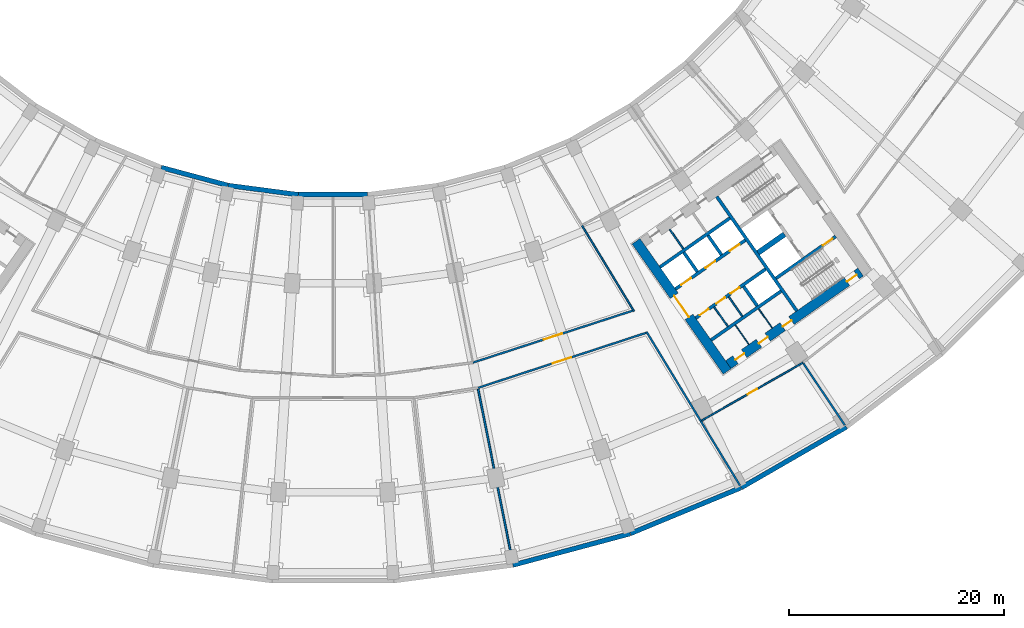
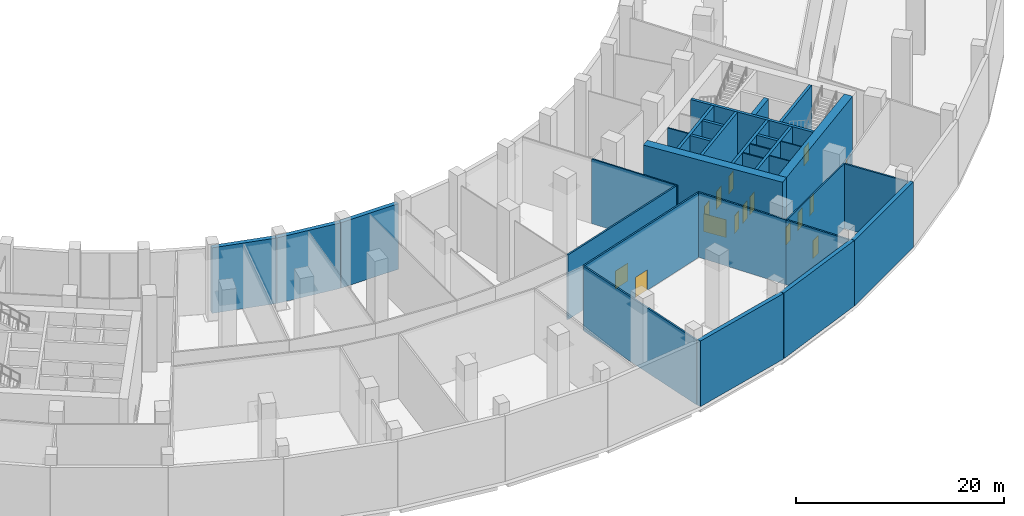
# One storey, part 8 of 19: 31 walls, 15 doors, 15 openings.
"""IFC4 building model written with IfcOpenShell, lengths in metres."""

import ifcopenshell
import ifcopenshell.guid

model = None  # the IFC model being written
_history = None  # IfcOwnerHistory: only IFC2X3 demands one
_inside = {}  # id of a spatial element -> (the spatial element, [elements in it])
_under = {}  # id of a project, library or spatial element -> (it, [spatial elements below it])
_declared = {}  # id of a project -> (the project, [libraries it declares])
_typed = {}  # id of a type object -> (the type object, [elements of that type])
_made_of = {}  # id of a material, layer set ... -> (it, [elements and type objects made of it])


def new_model(schema):
    """Start an empty IFC model of exactly this schema.

    Asked for "IFC4X3", IfcOpenShell would pick the latest addendum, in which some entities
    have other attributes; the version numbers below select the first issue.
    IFC2X3 requires an IfcOwnerHistory on every rooted entity: one is made here for all.
    """
    global model, _history
    if schema == "IFC4X3":
        model = ifcopenshell.file(schema_version=(4, 3, 0, 0))
    else:
        model = ifcopenshell.file(schema=schema)
    _inside.clear()
    _under.clear()
    _declared.clear()
    _typed.clear()
    _made_of.clear()
    _history = None
    if model.schema == "IFC2X3":
        org = make("IfcOrganization", Name="unknown")
        user = make(
            "IfcPersonAndOrganization",
            ThePerson=make("IfcPerson", FamilyName="unknown"),
            TheOrganization=org,
        )
        app = make(
            "IfcApplication",
            ApplicationDeveloper=org,
            Version="unknown",
            ApplicationFullName="unknown",
            ApplicationIdentifier="unknown",
        )
        _history = make(
            "IfcOwnerHistory",
            OwningUser=user,
            OwningApplication=app,
            ChangeAction="ADDED",
            CreationDate=0,
        )
    return model


def make(cls, **values):
    """One entity of the class cls with the attributes given. An attribute that is None is left unset."""
    return model.create_entity(
        cls, **{name: value for name, value in values.items() if value is not None}
    )


def rooted(cls, **values):
    """An entity with a GlobalId (a new one), such as an element, a storey or a relation."""
    return make(cls, GlobalId=ifcopenshell.guid.new(), OwnerHistory=_history, **values)


def si_unit(unit_type, name, prefix=None):
    """IfcSIUnit, for example si_unit("LENGTHUNIT", "METRE", prefix="MILLI")."""
    return make("IfcSIUnit", UnitType=unit_type, Prefix=prefix, Name=name)


def assignment(units):
    """IfcUnitAssignment: the units of a project."""
    return None if units is None else make("IfcUnitAssignment", Units=units)


def point(xyz):
    """IfcCartesianPoint."""
    return None if xyz is None else make("IfcCartesianPoint", Coordinates=xyz)


def direction(xyz):
    """IfcDirection."""
    return None if xyz is None else make("IfcDirection", DirectionRatios=xyz)


def frame(location, z_axis=None, x_axis=None):
    """IfcAxis2Placement3D, a coordinate frame: its origin and axes. An axis left out is left unset."""
    return make(
        "IfcAxis2Placement3D",
        Location=point(location),
        Axis=direction(z_axis),
        RefDirection=direction(x_axis),
    )


def frame_2d(location, x_axis=None):
    """IfcAxis2Placement2D, a coordinate frame in the plane: its origin and x axis."""
    return make(
        "IfcAxis2Placement2D", Location=point(location), RefDirection=direction(x_axis)
    )


def origin():
    """The frame at (0, 0, 0) with its axes left unset."""
    return frame((0.0, 0.0, 0.0))


def place(relative_to, where):
    """IfcLocalPlacement: puts the frame where relative to a parent placement (None: the world)."""
    return make(
        "IfcLocalPlacement", PlacementRelTo=relative_to, RelativePlacement=where
    )


def context(
    kind, dimensions, precision=None, world=None, true_north=None, identifier=None
):
    """IfcGeometricRepresentationContext, for example the 3D "Model" context."""
    return make(
        "IfcGeometricRepresentationContext",
        ContextIdentifier=identifier,
        ContextType=kind,
        CoordinateSpaceDimension=dimensions,
        Precision=precision,
        WorldCoordinateSystem=world,
        TrueNorth=true_north,
    )


def subcontext(parent, identifier, kind, view, scale=None):
    """IfcGeometricRepresentationSubContext, for example "Body" below "Model"."""
    return make(
        "IfcGeometricRepresentationSubContext",
        ContextIdentifier=identifier,
        ContextType=kind,
        ParentContext=parent,
        TargetScale=scale,
        TargetView=view,
    )


def project(units=None, contexts=None):
    """IfcProject with its units and contexts."""
    return rooted(
        "IfcProject",
        Name="project",
        RepresentationContexts=contexts,
        UnitsInContext=assignment(units),
    )


def spatial(cls, under=None, at=None, **own):
    """A site, building, storey or space (cls), placed at a placement, below another one or the project."""
    s = rooted(cls, ObjectPlacement=at, **own)
    if under is not None:
        _under.setdefault(under.id(), (under, []))[1].append(s)
    return s


def profile(cls, at=None, kind="AREA", **sizes):
    """A parametric profile (cls). Its sizes go by their IFC names, for example OverallWidth=200.0."""
    return make(cls, ProfileType=kind, Position=at, **sizes)


def rectangle(**sizes):
    """IfcRectangleProfileDef."""
    return profile("IfcRectangleProfileDef", **sizes)


def extrude(swept, where, along, depth):
    """IfcExtrudedAreaSolid: the profile swept, set in the frame where, extruded along a direction by depth."""
    return make(
        "IfcExtrudedAreaSolid",
        SweptArea=swept,
        Position=where,
        ExtrudedDirection=direction(along),
        Depth=depth,
    )


def shape(context_of_items, identifier, shape_type, items):
    """IfcShapeRepresentation: the items that make up one representation, for example the "Body"."""
    return make(
        "IfcShapeRepresentation",
        ContextOfItems=context_of_items,
        RepresentationIdentifier=identifier,
        RepresentationType=shape_type,
        Items=items,
    )


def material(Name=None, Category=None):
    """IfcMaterial."""
    return make("IfcMaterial", Name=Name, Category=Category)


def layer(
    of_material, thickness, ventilated=None, Name=None, Category=None, Priority=None
):
    """IfcMaterialLayer: one layer of a wall or slab, of a material (None: an air gap)."""
    return make(
        "IfcMaterialLayer",
        Material=of_material,
        LayerThickness=thickness,
        IsVentilated=ventilated,
        Name=Name,
        Category=Category,
        Priority=Priority,
    )


def layer_set(layers, Name=None):
    """IfcMaterialLayerSet."""
    return make("IfcMaterialLayerSet", MaterialLayers=layers, LayerSetName=Name)


def made_of(thing, what):
    """Note that an element or type object is made of a material, layer set ...; save() writes the relation."""
    if what is not None:
        _made_of.setdefault(what.id(), (what, []))[1].append(thing)
    return thing


def type_object(cls, material=None, **own):
    """A type object (cls), such as IfcWallType, which elements share."""
    return made_of(rooted(cls, **own), material)


def element(
    cls,
    number,
    at=None,
    inside=None,
    cuts=None,
    type_object=None,
    material=None,
    context=None,
    identifier="Body",
    shape_type=None,
    held_by="IfcProductDefinitionShape",
    body=None,
    shapes=None,
    **own,
):
    """One element of the class cls, such as IfcWall. Its Tag is "e" and its number.

    at: its placement. inside: the storey or other place that contains it. cuts: it is an
    opening in that element (IfcRelVoidsElement). A single representation is given by context,
    identifier, shape_type and body (its items); several are given by shapes. held_by: the class
    of the entity that holds the representations. save() writes the other relations.
    """
    e = rooted(cls, Tag="e%d" % number, ObjectPlacement=at, **own)
    if body is not None:
        shapes = [shape(context, identifier, shape_type, body)]
    if shapes is not None:
        e.Representation = make(held_by, Representations=shapes)
    if inside is not None:
        _inside.setdefault(inside.id(), (inside, []))[1].append(e)
    if cuts is not None:
        rooted(
            "IfcRelVoidsElement", RelatingBuildingElement=cuts, RelatedOpeningElement=e
        )
    if type_object is not None:
        _typed.setdefault(type_object.id(), (type_object, []))[1].append(e)
    return made_of(e, material)


def fill(opening, filler):
    """IfcRelFillsElement: the door or window that sits in an opening."""
    return rooted(
        "IfcRelFillsElement",
        RelatingOpeningElement=opening,
        RelatedBuildingElement=filler,
    )


def aggregate(whole, parts):
    """IfcRelAggregates: a whole, such as a stair, and the parts it consists of."""
    return rooted("IfcRelAggregates", RelatingObject=whole, RelatedObjects=parts)


def save(model, path):
    """Write the relations noted so far, then the file.

    IfcRelAggregates (storeys below a building ...), IfcRelContainedInSpatialStructure (elements
    in a storey), IfcRelDefinesByType, IfcRelAssociatesMaterial and IfcRelDeclares: one each for
    every whole, place, type object, material and project.
    """
    for whole, parts in _under.values():
        aggregate(whole, parts)
    for where, things in _inside.values():
        rooted(
            "IfcRelContainedInSpatialStructure",
            RelatedElements=things,
            RelatingStructure=where,
        )
    for kind, things in _typed.values():
        rooted("IfcRelDefinesByType", RelatedObjects=things, RelatingType=kind)
    for what, things in _made_of.values():
        rooted("IfcRelAssociatesMaterial", RelatedObjects=things, RelatingMaterial=what)
    for by, libraries in _declared.values():
        rooted("IfcRelDeclares", RelatingContext=by, RelatedDefinitions=libraries)
    model.write(path)


model = new_model("IFC4")

# Units and contexts
model_context = context("Model", 3, precision=1e-05, world=origin(), true_north=direction((0.0, 1.0)))
body_context = subcontext(model_context, "Body", "Model", "MODEL_VIEW")
ifc_project = project(units=[si_unit("LENGTHUNIT", "METRE"), si_unit("AREAUNIT", "SQUARE_METRE"), si_unit("VOLUMEUNIT", "CUBIC_METRE"), si_unit("PLANEANGLEUNIT", "RADIAN"), si_unit("MASSUNIT", "GRAM", prefix="KILO")], contexts=[model_context])

# Site, building, storey
site_placement = place(None, origin())
site = spatial("IfcSite", under=ifc_project, at=site_placement, CompositionType="ELEMENT")
building_placement = place(site_placement, origin())
building = spatial("IfcBuilding", under=site, at=building_placement, Name="Qamariyya Broadcast Tower", CompositionType="ELEMENT")
storey_placement = place(building_placement, frame((0.0, 0.0, 9.0)))
storey = spatial("IfcBuildingStorey", under=building, at=storey_placement, Name="L01", CompositionType="ELEMENT", Elevation=9.0)

# Wall, opening, door
ifc_material_1 = material(Name="Concrete C70/85", Category="concrete")
ifc_layer_1 = layer(ifc_material_1, 0.89990234375)
ifc_layer_set_1 = layer_set([ifc_layer_1], Name="Core wall 900 mm Concrete C70/85")
wall_type_1 = type_object("IfcWallType", Name="Core wall 900 mm Concrete C70/85", PredefinedType="SHEAR", material=ifc_layer_set_1)
wall_1_placement = place(storey_placement, frame((36.716796875, -66.3369140625, 0.0), z_axis=(0.0, 0.0, 1.0), x_axis=(-0.573577477574, 0.819151315216, 0.0)))
wall_1 = element("IfcWall", 1, at=wall_1_placement, inside=storey, type_object=wall_type_1, Name="k-E-L01-WA", PredefinedType="SHEAR", context=body_context, shape_type="SweptSolid", body=[
    extrude(rectangle(XDim=14.800048828125, YDim=0.89990234375, at=frame_2d((7.39990234375, 0.0))), origin(), (0.0, 0.0, 1.0), 8.60009765625),
])
opening_1_placement = place(wall_1_placement, frame((6.199951171875, 0.0, 0.0)))
opening_1 = element("IfcOpeningElement", 2, at=opening_1_placement, cuts=wall_1, Name="Opening KD3-E1", PredefinedType="OPENING", context=body_context, shape_type="SweptSolid", body=[
    extrude(rectangle(XDim=2.39990234375, YDim=2.10009765625, at=frame_2d((1.199951171875, 1.050048828125))), frame((0.0, 0.4599609375, 0.0), z_axis=(0.0, -1.0, 0.0), x_axis=(1.0, 0.0, 0.0)), (0.0, 0.0, 1.0), 0.919921875),
])
ifc_material_2 = material(Name="Steel fire-resisting door leaf", Category="steel")
door_type_1 = type_object("IfcDoorType", Name="Lift lobby door KD3", OperationType="DOUBLE_DOOR_SINGLE_SWING", PredefinedType="DOOR", material=ifc_material_2)
door_1_placement = place(opening_1_placement, origin())
door_1 = element("IfcDoor", 3, at=door_1_placement, inside=storey, type_object=door_type_1, Name="k-E-L01-WA-D1", OperationType="DOUBLE_DOOR_SINGLE_SWING", OverallHeight=2.10009765625, OverallWidth=2.39990234375, PredefinedType="DOOR", context=body_context, shape_type="SweptSolid", body=[
    extrude(rectangle(XDim=2.39990234375, YDim=2.10009765625, at=frame_2d((1.199951171875, 1.050048828125))), frame((0.0, 0.02490234375, 0.0), z_axis=(0.0, -1.0, 0.0), x_axis=(1.0, 0.0, 0.0)), (0.0, 0.0, 1.0), 0.050048828125),
])
fill(opening_1, door_1)

# Wall, openings, doors
wall_2_placement = place(storey_placement, frame((36.827392578125, -65.710205078125, 0.0), z_axis=(0.0, 0.0, 1.0), x_axis=(0.819153391756, 0.573574511963, 0.0)))
wall_2 = element("IfcWall", 4, at=wall_2_placement, inside=storey, type_object=wall_type_1, Name="k-E-L01-WO", PredefinedType="SHEAR", context=body_context, shape_type="SweptSolid", body=[
    extrude(rectangle(XDim=15.04541015625, YDim=0.89990234375, at=frame_2d((7.522705078125, 0.0))), origin(), (0.0, 0.0, 1.0), 8.60009765625),
])
opening_2_placement = place(wall_2_placement, frame((0.800048828125, 0.0, 0.0)))
opening_2 = element("IfcOpeningElement", 5, at=opening_2_placement, cuts=wall_2, Name="Opening KD4-E2", PredefinedType="OPENING", context=body_context, shape_type="SweptSolid", body=[
    extrude(rectangle(XDim=1.0, YDim=2.10009765625, at=frame_2d((0.5, 1.050048828125))), frame((0.0, 0.4599609375, 0.0), z_axis=(0.0, -1.0, 0.0), x_axis=(1.0, 0.0, 0.0)), (0.0, 0.0, 1.0), 0.919921875),
])
opening_3_placement = place(wall_2_placement, frame((3.47509765625, 0.0, 0.0)))
opening_3 = element("IfcOpeningElement", 6, at=opening_3_placement, cuts=wall_2, Name="Opening KD4-E3", PredefinedType="OPENING", context=body_context, shape_type="SweptSolid", body=[
    extrude(rectangle(XDim=1.0, YDim=2.10009765625, at=frame_2d((0.5, 1.050048828125))), frame((0.0, 0.4599609375, 0.0), z_axis=(0.0, -1.0, 0.0), x_axis=(1.0, 0.0, 0.0)), (0.0, 0.0, 1.0), 0.919921875),
])
opening_4_placement = place(wall_2_placement, frame((6.175048828125, 0.0, 0.0)))
opening_4 = element("IfcOpeningElement", 7, at=opening_4_placement, cuts=wall_2, Name="Opening KD4-E4", PredefinedType="OPENING", context=body_context, shape_type="SweptSolid", body=[
    extrude(rectangle(XDim=1.0, YDim=2.10009765625, at=frame_2d((0.5, 1.050048828125))), frame((0.0, 0.4599609375, 0.0), z_axis=(0.0, -1.0, 0.0), x_axis=(1.0, 0.0, 0.0)), (0.0, 0.0, 1.0), 0.919921875),
])
opening_5_placement = place(wall_2_placement, frame((13.495361328125, 0.0, 0.0)))
opening_5 = element("IfcOpeningElement", 8, at=opening_5_placement, cuts=wall_2, Name="Opening KD1-E3", PredefinedType="OPENING", context=body_context, shape_type="SweptSolid", body=[
    extrude(rectangle(XDim=1.10009765625, YDim=2.10009765625, at=frame_2d((0.550048828125, 1.050048828125))), frame((0.0, 0.4599609375, 0.0), z_axis=(0.0, -1.0, 0.0), x_axis=(1.0, 0.0, 0.0)), (0.0, 0.0, 1.0), 0.919921875),
])
door_type_2 = type_object("IfcDoorType", Name="Riser and plant door KD4", OperationType="SINGLE_SWING_LEFT", PredefinedType="DOOR", material=ifc_material_2)
door_2_placement = place(opening_2_placement, origin())
door_2 = element("IfcDoor", 9, at=door_2_placement, inside=storey, type_object=door_type_2, Name="k-E-L01-WO-D11", OperationType="SINGLE_SWING_LEFT", OverallHeight=2.10009765625, OverallWidth=1.0, PredefinedType="DOOR", context=body_context, shape_type="SweptSolid", body=[
    extrude(rectangle(XDim=1.0, YDim=2.10009765625, at=frame_2d((0.5, 1.050048828125))), frame((0.0, 0.02490234375, 0.0), z_axis=(0.0, -1.0, 0.0), x_axis=(1.0, 0.0, 0.0)), (0.0, 0.0, 1.0), 0.050048828125),
])
fill(opening_2, door_2)
door_3_placement = place(opening_3_placement, origin())
door_3 = element("IfcDoor", 10, at=door_3_placement, inside=storey, type_object=door_type_2, Name="k-E-L01-WO-D12", OperationType="SINGLE_SWING_RIGHT", OverallHeight=2.10009765625, OverallWidth=1.0, PredefinedType="DOOR", context=body_context, shape_type="SweptSolid", body=[
    extrude(rectangle(XDim=1.0, YDim=2.10009765625, at=frame_2d((0.5, 1.050048828125))), frame((0.0, 0.02490234375, 0.0), z_axis=(0.0, -1.0, 0.0), x_axis=(1.0, 0.0, 0.0)), (0.0, 0.0, 1.0), 0.050048828125),
])
fill(opening_3, door_3)
door_4_placement = place(opening_4_placement, origin())
door_4 = element("IfcDoor", 11, at=door_4_placement, inside=storey, type_object=door_type_2, Name="k-E-L01-WO-D13", OperationType="SINGLE_SWING_LEFT", OverallHeight=2.10009765625, OverallWidth=1.0, PredefinedType="DOOR", context=body_context, shape_type="SweptSolid", body=[
    extrude(rectangle(XDim=1.0, YDim=2.10009765625, at=frame_2d((0.5, 1.050048828125))), frame((0.0, 0.02490234375, 0.0), z_axis=(0.0, -1.0, 0.0), x_axis=(1.0, 0.0, 0.0)), (0.0, 0.0, 1.0), 0.050048828125),
])
fill(opening_4, door_4)
door_type_3 = type_object("IfcDoorType", Name="Stair door KD1", OperationType="SINGLE_SWING_LEFT", PredefinedType="DOOR", material=ifc_material_2)
door_5_placement = place(opening_5_placement, origin())
door_5 = element("IfcDoor", 12, at=door_5_placement, inside=storey, type_object=door_type_3, Name="k-E-L01-WO-D19", OperationType="SINGLE_SWING_LEFT", OverallHeight=2.10009765625, OverallWidth=1.10009765625, PredefinedType="DOOR", context=body_context, shape_type="SweptSolid", body=[
    extrude(rectangle(XDim=1.10009765625, YDim=2.10009765625, at=frame_2d((0.550048828125, 1.050048828125))), frame((0.0, 0.02490234375, 0.0), z_axis=(0.0, -1.0, 0.0), x_axis=(1.0, 0.0, 0.0)), (0.0, 0.0, 1.0), 0.050048828125),
])
fill(opening_5, door_5)

# Wall
ifc_material_3 = material(Name="Gypsum board partition")
ifc_layer_2 = layer(ifc_material_3, 0.14990234375)
ifc_layer_set_2 = layer_set([ifc_layer_2], Name="Corridor partition 150 EI 60")
wall_type_2 = type_object("IfcWallType", Name="Corridor partition 150 EI 60", PredefinedType="PARTITIONING", material=ifc_layer_set_2)
wall_3_placement = place(storey_placement, frame((23.174072265625, -52.732421875, 0.0), z_axis=(0.0, 0.0, 1.0), x_axis=(0.519584464565, -0.854419091654, 0.0)))
element("IfcWall", 13, at=wall_3_placement, inside=storey, type_object=wall_type_2, Name="Partition L01-043", PredefinedType="PARTITIONING", context=body_context, shape_type="SweptSolid", body=[
    extrude(rectangle(XDim=9.35986328125, YDim=0.14990234375, at=frame_2d((4.679931640625, 0.0))), origin(), (0.0, 0.0, 1.0), 7.60009765625),
])

# Wall, opening, door
wall_4_placement = place(storey_placement, frame((43.779052734375, -65.519775390625, 0.0), z_axis=(0.0, 0.0, 1.0), x_axis=(-0.868109106225, -0.496373427663, 0.0)))
wall_4 = element("IfcWall", 14, at=wall_4_placement, inside=storey, type_object=wall_type_2, Name="Partition L01-050", PredefinedType="PARTITIONING", context=body_context, shape_type="SweptSolid", body=[
    extrude(rectangle(XDim=10.875244140625, YDim=0.14990234375, at=frame_2d((5.4375, 0.0))), origin(), (0.0, 0.0, 1.0), 7.60009765625),
])
opening_6_placement = place(wall_4_placement, frame((4.9375, 0.0, 0.0)))
opening_6 = element("IfcOpeningElement", 15, at=opening_6_placement, cuts=wall_4, Name="Opening L01-D23", PredefinedType="OPENING", context=body_context, shape_type="SweptSolid", body=[
    extrude(rectangle(XDim=1.0, YDim=2.10009765625, at=frame_2d((0.5, 1.050048828125))), frame((0.0, 0.0849609375, 0.0), z_axis=(0.0, -1.0, 0.0), x_axis=(1.0, 0.0, 0.0)), (0.0, 0.0, 1.0), 0.169921875),
])
ifc_material_4 = material(Name="Timber fire door leaf", Category="wood")
door_type_4 = type_object("IfcDoorType", Name="Fire door 1000 x 2100 FD60", OperationType="NOTDEFINED", PredefinedType="DOOR", material=ifc_material_4)
door_6_placement = place(opening_6_placement, origin())
door_6 = element("IfcDoor", 16, at=door_6_placement, inside=storey, type_object=door_type_4, Name="Door L01-D23", OperationType="SINGLE_SWING_RIGHT", OverallHeight=2.10009765625, OverallWidth=1.0, PredefinedType="DOOR", context=body_context, shape_type="SweptSolid", body=[
    extrude(rectangle(XDim=1.0, YDim=2.10009765625, at=frame_2d((0.5, 1.050048828125))), frame((0.0, 0.02490234375, 0.0), z_axis=(0.0, -1.0, 0.0), x_axis=(1.0, 0.0, 0.0)), (0.0, 0.0, 1.0), 0.050048828125),
])
fill(opening_6, door_6)

# Walls
ifc_material_5 = material(Name="Concrete C60/75", Category="concrete")
ifc_layer_3 = layer(ifc_material_5, 0.5)
ifc_layer_set_3 = layer_set([ifc_layer_3], Name="Fire-fighting lobby divider wall 500 mm Concrete C60/75")
wall_type_3 = type_object("IfcWallType", Name="Fire-fighting lobby divider wall 500 mm Concrete C60/75", PredefinedType="SOLIDWALL", material=ifc_layer_set_3)
wall_5_placement = place(storey_placement, frame((39.59912109375, -55.28515625, 0.0), z_axis=(0.0, 0.0, 1.0), x_axis=(0.819136323161, 0.573598887793, 0.0)))
element("IfcWall", 17, at=wall_5_placement, inside=storey, type_object=wall_type_3, Name="k-E-L01-FD", PredefinedType="SOLIDWALL", context=body_context, shape_type="SweptSolid", body=[
    extrude(rectangle(XDim=2.999755859375, YDim=0.5, at=frame_2d((1.5, 0.0))), origin(), (0.0, 0.0, 1.0), 8.60009765625),
])
ifc_material_6 = material(Name="Gypsum board partition on steel studs", Category="steel")
ifc_layer_4 = layer(ifc_material_6, 0.14990234375)
ifc_layer_set_4 = layer_set([ifc_layer_4], Name="Gypsum board partition 150 mm")
wall_type_4 = type_object("IfcWallType", Name="Gypsum board partition 150 mm", PredefinedType="PARTITIONING", material=ifc_layer_set_4)
for number, where, z_axis, x_axis, name in (
    (18, (35.51171875, -60.344482421875, 0.0), (0.0, 0.0, 1.0), (0.573633636671, -0.819111989218, 0.0), "k-E-L01-SC200"),
    (19, (36.86328125, -59.398193359375, 0.0), (0.0, 0.0, 1.0), (0.573633636671, -0.819111989218, 0.0), "k-E-L01-SC365"),
    (20, (32.627197265625, -54.91748046875, 0.0), (0.0, 0.0, 1.0), (-0.573507030513, 0.819200638399, 0.0), "k-E-L01-NP275"),
):
    element("IfcWall", number, at=place(storey_placement, frame(where, z_axis=z_axis, x_axis=x_axis)), inside=storey, type_object=wall_type_4, Name=name, PredefinedType="PARTITIONING", context=body_context, shape_type="SweptSolid", body=[
        extrude(rectangle(XDim=2.199951171875, YDim=0.14990234375, at=frame_2d((1.10009765625, 0.0))), origin(), (0.0, 0.0, 1.0), 8.60009765625),
    ])
ifc_layer_5 = layer(ifc_material_5, 0.300048828125)
ifc_layer_set_5 = layer_set([ifc_layer_5], Name="Lift shaft wall 300 mm Concrete C60/75")
wall_type_5 = type_object("IfcWallType", Name="Lift shaft wall 300 mm Concrete C60/75", PredefinedType="SOLIDWALL", material=ifc_layer_set_5)
wall_6_placement = place(storey_placement, frame((43.204345703125, -60.69580078125, 0.0), z_axis=(0.0, 0.0, 1.0), x_axis=(-0.573571992966, 0.819155155563, 0.0)))
element("IfcWall", 21, at=wall_6_placement, inside=storey, type_object=wall_type_5, Name="k-E-L01-WL", PredefinedType="SOLIDWALL", context=body_context, shape_type="SweptSolid", body=[
    extrude(rectangle(XDim=13.000244140625, YDim=0.300048828125, at=frame_2d((6.5, 0.0))), origin(), (0.0, 0.0, 1.0), 8.60009765625),
])

# Wall, openings, doors
wall_7_placement = place(storey_placement, frame((31.89453125, -58.66552734375, 0.0), z_axis=(0.0, 0.0, 1.0), x_axis=(0.819166993208, 0.573555086491, 0.0)))
wall_7 = element("IfcWall", 22, at=wall_7_placement, inside=storey, type_object=wall_type_5, Name="k-E-L01-NF0", PredefinedType="SOLIDWALL", context=body_context, shape_type="SweptSolid", body=[
    extrude(rectangle(XDim=7.9501953125, YDim=0.300048828125, at=frame_2d((3.97509765625, 0.0))), origin(), (0.0, 0.0, 1.0), 8.60009765625),
])
opening_7_placement = place(wall_7_placement, frame((0.675048828125, 0.0, 0.0)))
opening_7 = element("IfcOpeningElement", 23, at=opening_7_placement, cuts=wall_7, Name="Opening LD", PredefinedType="OPENING", context=body_context, shape_type="SweptSolid", body=[
    extrude(rectangle(XDim=1.10009765625, YDim=2.10009765625, at=frame_2d((0.550048828125, 1.050048828125))), frame((0.0, 0.159912109375, 0.0), z_axis=(0.0, -1.0, 0.0), x_axis=(1.0, 0.0, 0.0)), (0.0, 0.0, 1.0), 0.320068359375),
])
opening_8_placement = place(wall_7_placement, frame((3.425048828125, 0.0, 0.0)))
opening_8 = element("IfcOpeningElement", 24, at=opening_8_placement, cuts=wall_7, Name="Opening LD", PredefinedType="OPENING", context=body_context, shape_type="SweptSolid", body=[
    extrude(rectangle(XDim=1.10009765625, YDim=2.10009765625, at=frame_2d((0.550048828125, 1.050048828125))), frame((0.0, 0.159912109375, 0.0), z_axis=(0.0, -1.0, 0.0), x_axis=(1.0, 0.0, 0.0)), (0.0, 0.0, 1.0), 0.320068359375),
])
opening_9_placement = place(wall_7_placement, frame((6.175048828125, 0.0, 0.0)))
opening_9 = element("IfcOpeningElement", 25, at=opening_9_placement, cuts=wall_7, Name="Opening LD", PredefinedType="OPENING", context=body_context, shape_type="SweptSolid", body=[
    extrude(rectangle(XDim=1.10009765625, YDim=2.10009765625, at=frame_2d((0.550048828125, 1.050048828125))), frame((0.0, 0.159912109375, 0.0), z_axis=(0.0, -1.0, 0.0), x_axis=(1.0, 0.0, 0.0)), (0.0, 0.0, 1.0), 0.320068359375),
])
door_type_5 = type_object("IfcDoorType", Name="Lift landing door LD", OperationType="DOUBLE_DOOR_SLIDING", PredefinedType="DOOR", material=ifc_material_2)
door_7_placement = place(opening_7_placement, origin())
door_7 = element("IfcDoor", 26, at=door_7_placement, inside=storey, type_object=door_type_5, Name="k-E-L01-NF0-D2", OperationType="DOUBLE_DOOR_SLIDING", OverallHeight=2.10009765625, OverallWidth=1.10009765625, PredefinedType="DOOR", context=body_context, shape_type="SweptSolid", body=[
    extrude(rectangle(XDim=1.10009765625, YDim=2.10009765625, at=frame_2d((0.550048828125, 1.050048828125))), frame((0.0, 0.02490234375, 0.0), z_axis=(0.0, -1.0, 0.0), x_axis=(1.0, 0.0, 0.0)), (0.0, 0.0, 1.0), 0.050048828125),
])
fill(opening_7, door_7)
door_8_placement = place(opening_8_placement, origin())
door_8 = element("IfcDoor", 27, at=door_8_placement, inside=storey, type_object=door_type_5, Name="k-E-L01-NF0-D3", OperationType="DOUBLE_DOOR_SLIDING", OverallHeight=2.10009765625, OverallWidth=1.10009765625, PredefinedType="DOOR", context=body_context, shape_type="SweptSolid", body=[
    extrude(rectangle(XDim=1.10009765625, YDim=2.10009765625, at=frame_2d((0.550048828125, 1.050048828125))), frame((0.0, 0.02490234375, 0.0), z_axis=(0.0, -1.0, 0.0), x_axis=(1.0, 0.0, 0.0)), (0.0, 0.0, 1.0), 0.050048828125),
])
fill(opening_8, door_8)
door_9_placement = place(opening_9_placement, origin())
door_9 = element("IfcDoor", 28, at=door_9_placement, inside=storey, type_object=door_type_5, Name="k-E-L01-NF0-D4", OperationType="DOUBLE_DOOR_SLIDING", OverallHeight=2.10009765625, OverallWidth=1.10009765625, PredefinedType="DOOR", context=body_context, shape_type="SweptSolid", body=[
    extrude(rectangle(XDim=1.10009765625, YDim=2.10009765625, at=frame_2d((0.550048828125, 1.050048828125))), frame((0.0, 0.02490234375, 0.0), z_axis=(0.0, -1.0, 0.0), x_axis=(1.0, 0.0, 0.0)), (0.0, 0.0, 1.0), 0.050048828125),
])
fill(opening_9, door_9)

# Walls
wall_8_placement = place(storey_placement, frame((30.460693359375, -56.61767578125, 0.0), z_axis=(0.0, 0.0, 1.0), x_axis=(0.819142461705, 0.573590121456, 0.0)))
element("IfcWall", 29, at=wall_8_placement, inside=storey, type_object=wall_type_5, Name="k-E-L01-NB0", PredefinedType="SOLIDWALL", context=body_context, shape_type="SweptSolid", body=[
    extrude(rectangle(XDim=7.949951171875, YDim=0.300048828125, at=frame_2d((3.97509765625, 0.0))), origin(), (0.0, 0.0, 1.0), 8.60009765625),
])
wall_9_placement = place(storey_placement, frame((33.9384765625, -57.051513671875, 0.0), z_axis=(0.0, 0.0, 1.0), x_axis=(-0.573581496053, 0.819148501424, 0.0)))
element("IfcWall", 30, at=wall_9_placement, inside=storey, type_object=wall_type_5, Name="k-E-L01-ND0", PredefinedType="SOLIDWALL", context=body_context, shape_type="SweptSolid", body=[
    extrude(rectangle(XDim=2.2001953125, YDim=0.300048828125, at=frame_2d((1.10009765625, 0.0))), origin(), (0.0, 0.0, 1.0), 8.60009765625),
])
wall_10_placement = place(storey_placement, frame((36.19091796875, -55.47412109375, 0.0), z_axis=(0.0, 0.0, 1.0), x_axis=(-0.573507030513, 0.819200638399, 0.0)))
element("IfcWall", 31, at=wall_10_placement, inside=storey, type_object=wall_type_5, Name="k-E-L01-ND1", PredefinedType="SOLIDWALL", context=body_context, shape_type="SweptSolid", body=[
    extrude(rectangle(XDim=2.199951171875, YDim=0.300048828125, at=frame_2d((1.10009765625, 0.0))), origin(), (0.0, 0.0, 1.0), 8.60009765625),
])

# Wall, openings, doors
wall_11_placement = place(storey_placement, frame((33.787353515625, -61.368896484375, 0.0), z_axis=(0.0, 0.0, 1.0), x_axis=(0.819152564888, 0.573575692858, 0.0)))
wall_11 = element("IfcWall", 32, at=wall_11_placement, inside=storey, type_object=wall_type_5, Name="k-E-L01-SF0", PredefinedType="SOLIDWALL", context=body_context, shape_type="SweptSolid", body=[
    extrude(rectangle(XDim=7.9501953125, YDim=0.300048828125, at=frame_2d((3.97509765625, 0.0))), origin(), (0.0, 0.0, 1.0), 8.60009765625),
])
opening_10_placement = place(wall_11_placement, frame((0.46240234375, 0.0, 0.0)))
opening_10 = element("IfcOpeningElement", 33, at=opening_10_placement, cuts=wall_11, Name="Opening KD6-E1", PredefinedType="OPENING", context=body_context, shape_type="SweptSolid", body=[
    extrude(rectangle(XDim=1.0, YDim=2.10009765625, at=frame_2d((0.5, 1.050048828125))), frame((0.0, 0.159912109375, 0.0), z_axis=(0.0, -1.0, 0.0), x_axis=(1.0, 0.0, 0.0)), (0.0, 0.0, 1.0), 0.320068359375),
])
opening_11_placement = place(wall_11_placement, frame((2.324951171875, 0.0, 0.0)))
opening_11 = element("IfcOpeningElement", 34, at=opening_11_placement, cuts=wall_11, Name="Opening KD4-E1", PredefinedType="OPENING", context=body_context, shape_type="SweptSolid", body=[
    extrude(rectangle(XDim=1.0, YDim=2.10009765625, at=frame_2d((0.5, 1.050048828125))), frame((0.0, 0.159912109375, 0.0), z_axis=(0.0, -1.0, 0.0), x_axis=(1.0, 0.0, 0.0)), (0.0, 0.0, 1.0), 0.320068359375),
])
opening_12_placement = place(wall_11_placement, frame((3.96240234375, 0.0, 0.0)))
opening_12 = element("IfcOpeningElement", 35, at=opening_12_placement, cuts=wall_11, Name="Opening KD6-E2", PredefinedType="OPENING", context=body_context, shape_type="SweptSolid", body=[
    extrude(rectangle(XDim=1.0, YDim=2.10009765625, at=frame_2d((0.5, 1.050048828125))), frame((0.0, 0.159912109375, 0.0), z_axis=(0.0, -1.0, 0.0), x_axis=(1.0, 0.0, 0.0)), (0.0, 0.0, 1.0), 0.320068359375),
])
door_type_6 = type_object("IfcDoorType", Name="Core room door KD6", OperationType="SINGLE_SWING_LEFT", PredefinedType="DOOR", material=ifc_material_2)
door_10_placement = place(opening_10_placement, origin())
door_10 = element("IfcDoor", 36, at=door_10_placement, inside=storey, type_object=door_type_6, Name="k-E-L01-SF0-D5", OperationType="SINGLE_SWING_LEFT", OverallHeight=2.10009765625, OverallWidth=1.0, PredefinedType="DOOR", context=body_context, shape_type="SweptSolid", body=[
    extrude(rectangle(XDim=1.0, YDim=2.10009765625, at=frame_2d((0.5, 1.050048828125))), frame((0.0, 0.02490234375, 0.0), z_axis=(0.0, -1.0, 0.0), x_axis=(1.0, 0.0, 0.0)), (0.0, 0.0, 1.0), 0.050048828125),
])
fill(opening_10, door_10)
door_11_placement = place(opening_12_placement, origin())
door_11 = element("IfcDoor", 37, at=door_11_placement, inside=storey, type_object=door_type_6, Name="k-E-L01-SF0-D7", OperationType="SINGLE_SWING_LEFT", OverallHeight=2.10009765625, OverallWidth=1.0, PredefinedType="DOOR", context=body_context, shape_type="SweptSolid", body=[
    extrude(rectangle(XDim=1.0, YDim=2.10009765625, at=frame_2d((0.5, 1.050048828125))), frame((0.0, 0.02490234375, 0.0), z_axis=(0.0, -1.0, 0.0), x_axis=(1.0, 0.0, 0.0)), (0.0, 0.0, 1.0), 0.050048828125),
])
fill(opening_12, door_11)
door_12_placement = place(opening_11_placement, origin())
door_12 = element("IfcDoor", 38, at=door_12_placement, inside=storey, type_object=door_type_2, Name="k-E-L01-SF0-D6", OperationType="SINGLE_SWING_RIGHT", OverallHeight=2.10009765625, OverallWidth=1.0, PredefinedType="DOOR", context=body_context, shape_type="SweptSolid", body=[
    extrude(rectangle(XDim=1.0, YDim=2.10009765625, at=frame_2d((0.5, 1.050048828125))), frame((0.0, 0.02490234375, 0.0), z_axis=(0.0, -1.0, 0.0), x_axis=(1.0, 0.0, 0.0)), (0.0, 0.0, 1.0), 0.050048828125),
])
fill(opening_11, door_12)

# Walls
wall_12_placement = place(storey_placement, frame((35.22119140625, -63.41650390625, 0.0), z_axis=(0.0, 0.0, 1.0), x_axis=(0.819166993208, 0.573555086491, 0.0)))
element("IfcWall", 39, at=wall_12_placement, inside=storey, type_object=wall_type_5, Name="k-E-L01-SB0", PredefinedType="SOLIDWALL", context=body_context, shape_type="SweptSolid", body=[
    extrude(rectangle(XDim=7.9501953125, YDim=0.300048828125, at=frame_2d((3.97509765625, 0.0))), origin(), (0.0, 0.0, 1.0), 8.60009765625),
])
wall_13_placement = place(storey_placement, frame((38.255859375, -58.423095703125, 0.0), z_axis=(0.0, 0.0, 1.0), x_axis=(0.573633636671, -0.819111989218, 0.0)))
element("IfcWall", 40, at=wall_13_placement, inside=storey, type_object=wall_type_5, Name="k-E-L01-SD1", PredefinedType="SOLIDWALL", context=body_context, shape_type="SweptSolid", body=[
    extrude(rectangle(XDim=2.199951171875, YDim=0.300048828125, at=frame_2d((1.10009765625, 0.0))), origin(), (0.0, 0.0, 1.0), 8.60009765625),
])

# Wall, opening, door
wall_14_placement = place(storey_placement, frame((41.262451171875, -57.66064453125, 0.0), z_axis=(0.0, 0.0, 1.0), x_axis=(0.819164398642, 0.573558792102, 0.0)))
wall_14 = element("IfcWall", 41, at=wall_14_placement, inside=storey, type_object=wall_type_5, Name="k-E-L01-SW", PredefinedType="SOLIDWALL", context=body_context, shape_type="SweptSolid", body=[
    extrude(rectangle(XDim=6.795166015625, YDim=0.300048828125, at=frame_2d((3.3974609375, 0.0))), origin(), (0.0, 0.0, 1.0), 8.60009765625),
])
opening_13_placement = place(wall_14_placement, frame((5.3203125, 0.0, 0.0)))
opening_13 = element("IfcOpeningElement", 42, at=opening_13_placement, cuts=wall_14, Name="Opening KD1-E4", PredefinedType="OPENING", context=body_context, shape_type="SweptSolid", body=[
    extrude(rectangle(XDim=1.10009765625, YDim=2.10009765625, at=frame_2d((0.550048828125, 1.050048828125))), frame((0.0, 0.159912109375, 0.0), z_axis=(0.0, -1.0, 0.0), x_axis=(1.0, 0.0, 0.0)), (0.0, 0.0, 1.0), 0.320068359375),
])
door_13_placement = place(opening_13_placement, origin())
door_13 = element("IfcDoor", 43, at=door_13_placement, inside=storey, type_object=door_type_3, Name="k-E-L01-SW-D20", OperationType="SINGLE_SWING_RIGHT", OverallHeight=2.10009765625, OverallWidth=1.10009765625, PredefinedType="DOOR", context=body_context, shape_type="SweptSolid", body=[
    extrude(rectangle(XDim=1.10009765625, YDim=2.10009765625, at=frame_2d((0.550048828125, 1.050048828125))), frame((0.0, 0.02490234375, 0.0), z_axis=(0.0, -1.0, 0.0), x_axis=(1.0, 0.0, 0.0)), (0.0, 0.0, 1.0), 0.050048828125),
])
fill(opening_13, door_13)

# Walls
ifc_material_7 = material(Name="Precast concrete C40/50 with terracotta facing", Category="masonry")
ifc_layer_6 = layer(ifc_material_7, 0.449951171875)
ifc_layer_set_6 = layer_set([ifc_layer_6], Name="Precast concrete C40/50 wall 450, terracotta faced")
wall_type_6 = type_object("IfcWallType", Name="Precast concrete C40/50 wall 450, terracotta faced", PredefinedType="SOLIDWALL", material=ifc_layer_set_6)
wall_15_placement = place(storey_placement, frame((3.209716796875, -49.868408203125, 0.0), z_axis=(0.0, 0.0, 1.0), x_axis=(-1.0, 0.0, 0.0)))
element("IfcWall", 44, at=wall_15_placement, inside=storey, type_object=wall_type_6, Name="e-wl-L01-in100", PredefinedType="SOLIDWALL", context=body_context, shape_type="SweptSolid", body=[
    extrude(rectangle(XDim=6.41943359375, YDim=0.449951171875, at=frame_2d((3.209716796875, 0.0))), origin(), (0.0, 0.0, 1.0), 7.699951171875),
])
wall_16_placement = place(storey_placement, frame((-9.806640625, -49.0, 0.0), z_axis=(0.0, 0.0, 1.0), x_axis=(-0.965926830738, 0.25881529642, 0.0)))
element("IfcWall", 45, at=wall_16_placement, inside=storey, type_object=wall_type_6, Name="e-wl-L01-in80", PredefinedType="SOLIDWALL", context=body_context, shape_type="SweptSolid", body=[
    extrude(rectangle(XDim=6.419189453125, YDim=0.449951171875, at=frame_2d((3.20947265625, 0.0))), origin(), (0.0, 0.0, 1.0), 7.699951171875),
])
wall_17_placement = place(storey_placement, frame((-3.23876953125, -49.872314453125, 0.0), z_axis=(0.0, 0.0, 1.0), x_axis=(-0.991445350147, 0.130522479563, 0.0)))
element("IfcWall", 46, at=wall_17_placement, inside=storey, type_object=wall_type_6, Name="e-wl-L01-in90", PredefinedType="SOLIDWALL", context=body_context, shape_type="SweptSolid", body=[
    extrude(rectangle(XDim=6.59716796875, YDim=0.449951171875, at=frame_2d((3.298583984375, 0.0))), origin(), (0.0, 0.0, 1.0), 7.699951171875),
])
wall_18_placement = place(storey_placement, frame((16.753662109375, -84.37939453125, 0.0), z_axis=(0.0, 0.0, 1.0), x_axis=(0.965923678926, 0.258827059038, 0.0)))
element("IfcWall", 47, at=wall_18_placement, inside=storey, type_object=wall_type_6, Name="e-wl-L01-out120", PredefinedType="SOLIDWALL", context=body_context, shape_type="SweptSolid", body=[
    extrude(rectangle(XDim=11.3125, YDim=0.449951171875, at=frame_2d((5.65625, 0.0))), origin(), (0.0, 0.0, 1.0), 7.699951171875),
])
wall_19_placement = place(storey_placement, frame((27.7060546875, -81.436767578125, 0.0), z_axis=(0.0, 0.0, 1.0), x_axis=(0.923874126662, 0.382696482978, 0.0)))
element("IfcWall", 48, at=wall_19_placement, inside=storey, type_object=wall_type_6, Name="e-wl-L01-out130", PredefinedType="SOLIDWALL", context=body_context, shape_type="SweptSolid", body=[
    extrude(rectangle(XDim=11.134765625, YDim=0.449951171875, at=frame_2d((5.5673828125, 0.0))), origin(), (0.0, 0.0, 1.0), 7.699951171875),
])
wall_20_placement = place(storey_placement, frame((38.021728515625, -77.16796875, 0.0), z_axis=(0.0, 0.0, 1.0), x_axis=(0.866024577697, 0.500001430823, 0.0)))
element("IfcWall", 49, at=wall_20_placement, inside=storey, type_object=wall_type_6, Name="e-wl-L01-out140", PredefinedType="SOLIDWALL", context=body_context, shape_type="SweptSolid", body=[
    extrude(rectangle(XDim=11.3125, YDim=0.449951171875, at=frame_2d((5.65625, 0.0))), origin(), (0.0, 0.0, 1.0), 7.699951171875),
])
ifc_material_8 = material(Name="Fire-rated gypsum shaft liner on steel studs", Category="steel")
ifc_layer_7 = layer(ifc_material_8, 0.10009765625)
ifc_layer_set_7 = layer_set([ifc_layer_7], Name="Riser wall 100 mm")
wall_type_7 = type_object("IfcWallType", Name="Riser wall 100 mm", PredefinedType="PLUMBINGWALL", material=ifc_layer_set_7)
wall_21_placement = place(storey_placement, frame((37.47802734375, -62.01953125, 0.0), z_axis=(0.0, 0.0, 1.0), x_axis=(0.573581496053, -0.819148501424, 0.0)))
element("IfcWall", 50, at=wall_21_placement, inside=storey, type_object=wall_type_7, Name="k-E-L01-SP265", PredefinedType="PLUMBINGWALL", context=body_context, shape_type="SweptSolid", body=[
    extrude(rectangle(XDim=2.2001953125, YDim=0.10009765625, at=frame_2d((1.10009765625, 0.0))), origin(), (0.0, 0.0, 1.0), 8.60009765625),
])
wall_22_placement = place(storey_placement, frame((39.64892578125, -60.49951171875, 0.0), z_axis=(0.0, 0.0, 1.0), x_axis=(0.573507030513, -0.819200638399, 0.0)))
element("IfcWall", 51, at=wall_22_placement, inside=storey, type_object=wall_type_7, Name="k-E-L01-SP530", PredefinedType="PLUMBINGWALL", context=body_context, shape_type="SweptSolid", body=[
    extrude(rectangle(XDim=2.199951171875, YDim=0.10009765625, at=frame_2d((1.10009765625, 0.0))), origin(), (0.0, 0.0, 1.0), 8.60009765625),
])

# Wall, opening, door
ifc_layer_8 = layer(ifc_material_3, 0.179931640625)
ifc_layer_set_8 = layer_set([ifc_layer_8], Name="Studio acoustic partition 180 EI 60")
wall_type_8 = type_object("IfcWallType", Name="Studio acoustic partition 180 EI 60", PredefinedType="PARTITIONING", material=ifc_layer_set_8)
wall_23_placement = place(storey_placement, frame((13.031982421875, -65.516357421875, 0.0), z_axis=(0.0, 0.0, 1.0), x_axis=(0.950996699022, 0.309201032419, 0.0)))
wall_23 = element("IfcWall", 52, at=wall_23_placement, inside=storey, type_object=wall_type_8, Name="Partition L01-039", PredefinedType="PARTITIONING", context=body_context, shape_type="SweptSolid", body=[
    extrude(rectangle(XDim=15.654296875, YDim=0.179931640625, at=frame_2d((7.8271484375, 0.0))), origin(), (0.0, 0.0, 1.0), 7.60009765625),
])
opening_14_placement = place(wall_23_placement, frame((6.92724609375, 0.0, 0.0)))
opening_14 = element("IfcOpeningElement", 53, at=opening_14_placement, cuts=wall_23, Name="Opening L01-D11", PredefinedType="OPENING", context=body_context, shape_type="SweptSolid", body=[
    extrude(rectangle(XDim=1.800048828125, YDim=2.10009765625, at=frame_2d((0.89990234375, 1.050048828125))), frame((0.0, 0.099853515625, 0.0), z_axis=(0.0, -1.0, 0.0), x_axis=(1.0, 0.0, 0.0)), (0.0, 0.0, 1.0), 0.199951171875),
])
door_type_7 = type_object("IfcDoorType", Name="Double fire door 1800 x 2100 FD60", OperationType="NOTDEFINED", PredefinedType="DOOR", material=ifc_material_4)
door_14_placement = place(opening_14_placement, origin())
door_14 = element("IfcDoor", 54, at=door_14_placement, inside=storey, type_object=door_type_7, Name="Door L01-D11", OperationType="DOUBLE_DOOR_SINGLE_SWING", OverallHeight=2.10009765625, OverallWidth=1.800048828125, PredefinedType="DOOR", context=body_context, shape_type="SweptSolid", body=[
    extrude(rectangle(XDim=1.800048828125, YDim=2.10009765625, at=frame_2d((0.89990234375, 1.050048828125))), frame((0.0, 0.02490234375, 0.0), z_axis=(0.0, -1.0, 0.0), x_axis=(1.0, 0.0, 0.0)), (0.0, 0.0, 1.0), 0.050048828125),
])
fill(opening_14, door_14)

wall_24_placement = place(storey_placement, frame((29.159912109375, -62.744384765625, 0.0), z_axis=(0.0, 0.0, 1.0), x_axis=(-0.95037928892, -0.31109356662, 0.0)))
wall_24 = element("IfcWall", 55, at=wall_24_placement, inside=storey, type_object=wall_type_8, Name="Partition L01-040", PredefinedType="PARTITIONING", context=body_context, shape_type="SweptSolid", body=[
    extrude(rectangle(XDim=16.477294921875, YDim=0.179931640625, at=frame_2d((8.23876953125, 0.0))), origin(), (0.0, 0.0, 1.0), 7.60009765625),
])
opening_15_placement = place(wall_24_placement, frame((7.338623046875, 0.0, 0.0)))
opening_15 = element("IfcOpeningElement", 56, at=opening_15_placement, cuts=wall_24, Name="Opening L01-D05", PredefinedType="OPENING", context=body_context, shape_type="SweptSolid", body=[
    extrude(rectangle(XDim=1.800048828125, YDim=2.39990234375, at=frame_2d((0.89990234375, 1.199951171875))), frame((0.0, 0.099853515625, 0.0), z_axis=(0.0, -1.0, 0.0), x_axis=(1.0, 0.0, 0.0)), (0.0, 0.0, 1.0), 0.199951171875),
])
ifc_material_9 = material(Name="Acoustic timber door leaf", Category="wood")
door_type_8 = type_object("IfcDoorType", Name="Studio double door 1800 x 2400 FD60", OperationType="NOTDEFINED", PredefinedType="DOOR", material=ifc_material_9)
door_15_placement = place(opening_15_placement, origin())
door_15 = element("IfcDoor", 57, at=door_15_placement, inside=storey, type_object=door_type_8, Name="Door L01-D05", OperationType="DOUBLE_DOOR_SINGLE_SWING", OverallHeight=2.39990234375, OverallWidth=1.800048828125, PredefinedType="DOOR", context=body_context, shape_type="SweptSolid", body=[
    extrude(rectangle(XDim=1.800048828125, YDim=2.39990234375, at=frame_2d((0.89990234375, 1.199951171875))), frame((0.0, 0.02490234375, 0.0), z_axis=(0.0, -1.0, 0.0), x_axis=(1.0, 0.0, 0.0)), (0.0, 0.0, 1.0), 0.050048828125),
])
fill(opening_15, door_15)

# Walls
wall_25_placement = place(storey_placement, frame((16.73876953125, -84.1513671875, 0.0), z_axis=(0.0, 0.0, 1.0), x_axis=(-0.195089444663, 0.980785454919, 0.0)))
element("IfcWall", 58, at=wall_25_placement, inside=storey, type_object=wall_type_8, Name="Partition L01-041", PredefinedType="PARTITIONING", context=body_context, shape_type="SweptSolid", body=[
    extrude(rectangle(XDim=16.510009765625, YDim=0.179931640625, at=frame_2d((8.2548828125, 0.0))), origin(), (0.0, 0.0, 1.0), 7.60009765625),
])
wall_26_placement = place(storey_placement, frame((29.19873046875, -62.639404296875, 0.0), z_axis=(0.0, 0.0, 1.0), x_axis=(0.519569231187, -0.854428355103, 0.0)))
element("IfcWall", 59, at=wall_26_placement, inside=storey, type_object=wall_type_8, Name="Partition L01-046", PredefinedType="PARTITIONING", context=body_context, shape_type="SweptSolid", body=[
    extrude(rectangle(XDim=9.7412109375, YDim=0.179931640625, at=frame_2d((4.87060546875, 0.0))), origin(), (0.0, 0.0, 1.0), 7.60009765625),
])
wall_27_placement = place(storey_placement, frame((34.260009765625, -70.962646484375, 0.0), z_axis=(0.0, 0.0, 1.0), x_axis=(0.519582317334, -0.854420397412, 0.0)))
element("IfcWall", 60, at=wall_27_placement, inside=storey, type_object=wall_type_8, Name="Partition L01-049", PredefinedType="PARTITIONING", context=body_context, shape_type="SweptSolid", body=[
    extrude(rectangle(XDim=7.03173828125, YDim=0.179931640625, at=frame_2d((3.515869140625, 0.0))), origin(), (0.0, 0.0, 1.0), 7.60009765625),
])
wall_28_placement = place(storey_placement, frame((47.66796875, -71.340087890625, 0.0), z_axis=(0.0, 0.0, 1.0), x_axis=(-0.555588604147, 0.831457336814, 0.0)))
element("IfcWall", 61, at=wall_28_placement, inside=storey, type_object=wall_type_8, Name="Partition L01-056", PredefinedType="PARTITIONING", context=body_context, shape_type="SweptSolid", body=[
    extrude(rectangle(XDim=6.909912109375, YDim=0.179931640625, at=frame_2d((3.455078125, 0.0))), origin(), (0.0, 0.0, 1.0), 7.60009765625),
])

save(model, "model.ifc")
